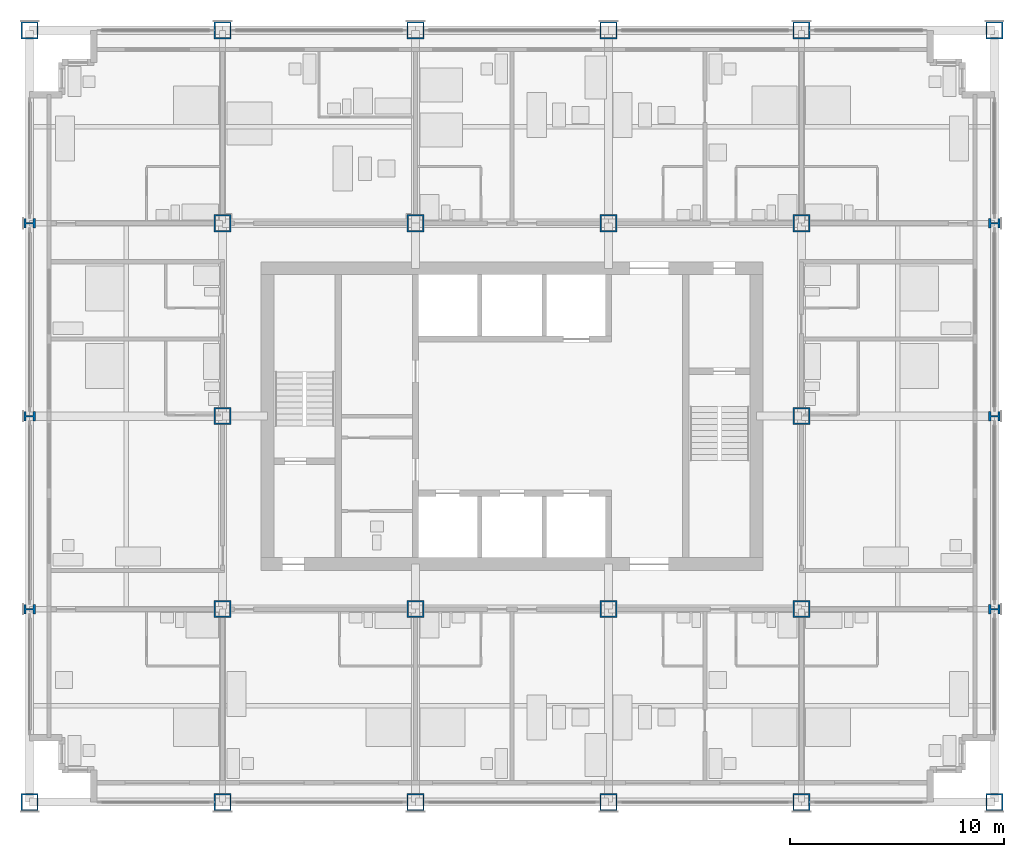
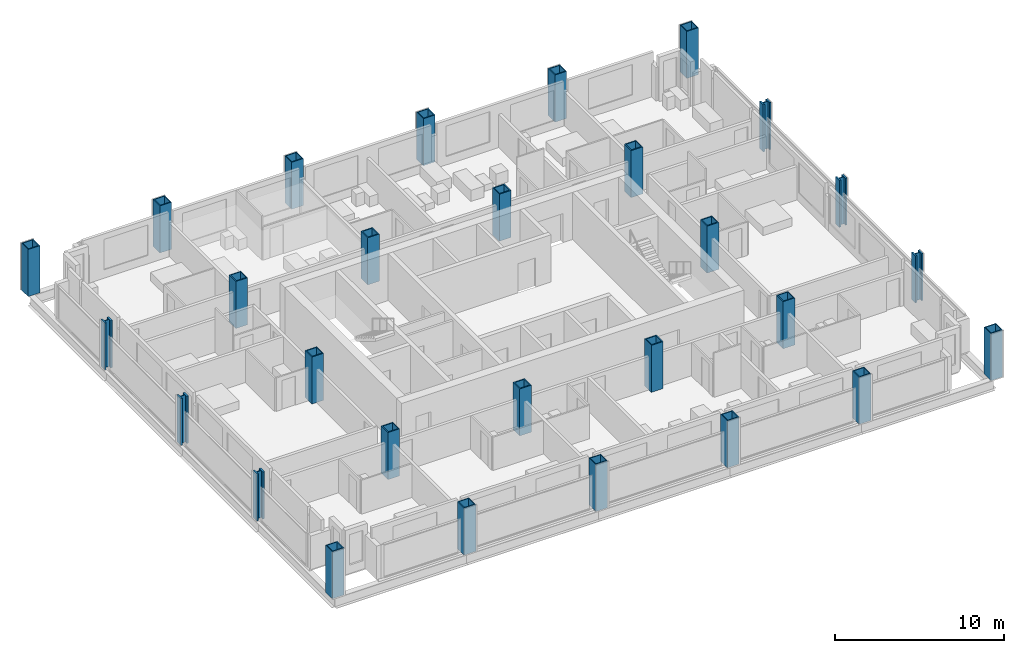
# One storey, part 1 of 16: 28 columns.
"""IFC4 building model written with IfcOpenShell, lengths in metres."""

import ifcopenshell
import ifcopenshell.guid

model = None  # the IFC model being written
_history = None  # IfcOwnerHistory: only IFC2X3 demands one
_inside = {}  # id of a spatial element -> (the spatial element, [elements in it])
_under = {}  # id of a project, library or spatial element -> (it, [spatial elements below it])
_declared = {}  # id of a project -> (the project, [libraries it declares])
_typed = {}  # id of a type object -> (the type object, [elements of that type])
_made_of = {}  # id of a material, layer set ... -> (it, [elements and type objects made of it])


def new_model(schema):
    """Start an empty IFC model of exactly this schema.

    Asked for "IFC4X3", IfcOpenShell would pick the latest addendum, in which some entities
    have other attributes; the version numbers below select the first issue.
    IFC2X3 requires an IfcOwnerHistory on every rooted entity: one is made here for all.
    """
    global model, _history
    if schema == "IFC4X3":
        model = ifcopenshell.file(schema_version=(4, 3, 0, 0))
    else:
        model = ifcopenshell.file(schema=schema)
    _inside.clear()
    _under.clear()
    _declared.clear()
    _typed.clear()
    _made_of.clear()
    _history = None
    if model.schema == "IFC2X3":
        org = make("IfcOrganization", Name="unknown")
        user = make(
            "IfcPersonAndOrganization",
            ThePerson=make("IfcPerson", FamilyName="unknown"),
            TheOrganization=org,
        )
        app = make(
            "IfcApplication",
            ApplicationDeveloper=org,
            Version="unknown",
            ApplicationFullName="unknown",
            ApplicationIdentifier="unknown",
        )
        _history = make(
            "IfcOwnerHistory",
            OwningUser=user,
            OwningApplication=app,
            ChangeAction="ADDED",
            CreationDate=0,
        )
    return model


def make(cls, **values):
    """One entity of the class cls with the attributes given. An attribute that is None is left unset."""
    return model.create_entity(
        cls, **{name: value for name, value in values.items() if value is not None}
    )


def rooted(cls, **values):
    """An entity with a GlobalId (a new one), such as an element, a storey or a relation."""
    return make(cls, GlobalId=ifcopenshell.guid.new(), OwnerHistory=_history, **values)


def si_unit(unit_type, name, prefix=None):
    """IfcSIUnit, for example si_unit("LENGTHUNIT", "METRE", prefix="MILLI")."""
    return make("IfcSIUnit", UnitType=unit_type, Prefix=prefix, Name=name)


def assignment(units):
    """IfcUnitAssignment: the units of a project."""
    return None if units is None else make("IfcUnitAssignment", Units=units)


def point(xyz):
    """IfcCartesianPoint."""
    return None if xyz is None else make("IfcCartesianPoint", Coordinates=xyz)


def direction(xyz):
    """IfcDirection."""
    return None if xyz is None else make("IfcDirection", DirectionRatios=xyz)


def frame(location, z_axis=None, x_axis=None):
    """IfcAxis2Placement3D, a coordinate frame: its origin and axes. An axis left out is left unset."""
    return make(
        "IfcAxis2Placement3D",
        Location=point(location),
        Axis=direction(z_axis),
        RefDirection=direction(x_axis),
    )


def frame_2d(location, x_axis=None):
    """IfcAxis2Placement2D, a coordinate frame in the plane: its origin and x axis."""
    return make(
        "IfcAxis2Placement2D", Location=point(location), RefDirection=direction(x_axis)
    )


def origin():
    """The frame at (0, 0, 0) with its axes left unset."""
    return frame((0.0, 0.0, 0.0))


def origin_2d():
    """The frame at (0, 0) in the plane with its x axis left unset."""
    return frame_2d((0.0, 0.0))


def place(relative_to, where):
    """IfcLocalPlacement: puts the frame where relative to a parent placement (None: the world)."""
    return make(
        "IfcLocalPlacement", PlacementRelTo=relative_to, RelativePlacement=where
    )


def context(
    kind, dimensions, precision=None, world=None, true_north=None, identifier=None
):
    """IfcGeometricRepresentationContext, for example the 3D "Model" context."""
    return make(
        "IfcGeometricRepresentationContext",
        ContextIdentifier=identifier,
        ContextType=kind,
        CoordinateSpaceDimension=dimensions,
        Precision=precision,
        WorldCoordinateSystem=world,
        TrueNorth=true_north,
    )


def subcontext(parent, identifier, kind, view, scale=None):
    """IfcGeometricRepresentationSubContext, for example "Body" below "Model"."""
    return make(
        "IfcGeometricRepresentationSubContext",
        ContextIdentifier=identifier,
        ContextType=kind,
        ParentContext=parent,
        TargetScale=scale,
        TargetView=view,
    )


def project(units=None, contexts=None):
    """IfcProject with its units and contexts."""
    return rooted(
        "IfcProject",
        Name="project",
        RepresentationContexts=contexts,
        UnitsInContext=assignment(units),
    )


def spatial(cls, under=None, at=None, **own):
    """A site, building, storey or space (cls), placed at a placement, below another one or the project."""
    s = rooted(cls, ObjectPlacement=at, **own)
    if under is not None:
        _under.setdefault(under.id(), (under, []))[1].append(s)
    return s


def profile(cls, at=None, kind="AREA", **sizes):
    """A parametric profile (cls). Its sizes go by their IFC names, for example OverallWidth=200.0."""
    return make(cls, ProfileType=kind, Position=at, **sizes)


def hollow_rectangle(**sizes):
    """IfcRectangleHollowProfileDef."""
    return profile("IfcRectangleHollowProfileDef", **sizes)


def i_section(**sizes):
    """IfcIShapeProfileDef."""
    return profile("IfcIShapeProfileDef", **sizes)


def extrude(swept, where, along, depth):
    """IfcExtrudedAreaSolid: the profile swept, set in the frame where, extruded along a direction by depth."""
    return make(
        "IfcExtrudedAreaSolid",
        SweptArea=swept,
        Position=where,
        ExtrudedDirection=direction(along),
        Depth=depth,
    )


def shape(context_of_items, identifier, shape_type, items):
    """IfcShapeRepresentation: the items that make up one representation, for example the "Body"."""
    return make(
        "IfcShapeRepresentation",
        ContextOfItems=context_of_items,
        RepresentationIdentifier=identifier,
        RepresentationType=shape_type,
        Items=items,
    )


def material(Name=None, Category=None):
    """IfcMaterial."""
    return make("IfcMaterial", Name=Name, Category=Category)


def material_profile(
    of_material, cross_section, Name=None, Category=None, Priority=None
):
    """IfcMaterialProfile: a cross section and its material."""
    return make(
        "IfcMaterialProfile",
        Name=Name,
        Material=of_material,
        Profile=cross_section,
        Priority=Priority,
        Category=Category,
    )


def profile_set(profiles, Name=None, composite=None):
    """IfcMaterialProfileSet."""
    return make(
        "IfcMaterialProfileSet",
        Name=Name,
        MaterialProfiles=profiles,
        CompositeProfile=composite,
    )


def made_of(thing, what):
    """Note that an element or type object is made of a material, layer set ...; save() writes the relation."""
    if what is not None:
        _made_of.setdefault(what.id(), (what, []))[1].append(thing)
    return thing


def type_object(cls, material=None, **own):
    """A type object (cls), such as IfcWallType, which elements share."""
    return made_of(rooted(cls, **own), material)


def element(
    cls,
    number,
    at=None,
    inside=None,
    cuts=None,
    type_object=None,
    material=None,
    context=None,
    identifier="Body",
    shape_type=None,
    held_by="IfcProductDefinitionShape",
    body=None,
    shapes=None,
    **own,
):
    """One element of the class cls, such as IfcWall. Its Tag is "e" and its number.

    at: its placement. inside: the storey or other place that contains it. cuts: it is an
    opening in that element (IfcRelVoidsElement). A single representation is given by context,
    identifier, shape_type and body (its items); several are given by shapes. held_by: the class
    of the entity that holds the representations. save() writes the other relations.
    """
    e = rooted(cls, Tag="e%d" % number, ObjectPlacement=at, **own)
    if body is not None:
        shapes = [shape(context, identifier, shape_type, body)]
    if shapes is not None:
        e.Representation = make(held_by, Representations=shapes)
    if inside is not None:
        _inside.setdefault(inside.id(), (inside, []))[1].append(e)
    if cuts is not None:
        rooted(
            "IfcRelVoidsElement", RelatingBuildingElement=cuts, RelatedOpeningElement=e
        )
    if type_object is not None:
        _typed.setdefault(type_object.id(), (type_object, []))[1].append(e)
    return made_of(e, material)


def aggregate(whole, parts):
    """IfcRelAggregates: a whole, such as a stair, and the parts it consists of."""
    return rooted("IfcRelAggregates", RelatingObject=whole, RelatedObjects=parts)


def save(model, path):
    """Write the relations noted so far, then the file.

    IfcRelAggregates (storeys below a building ...), IfcRelContainedInSpatialStructure (elements
    in a storey), IfcRelDefinesByType, IfcRelAssociatesMaterial and IfcRelDeclares: one each for
    every whole, place, type object, material and project.
    """
    for whole, parts in _under.values():
        aggregate(whole, parts)
    for where, things in _inside.values():
        rooted(
            "IfcRelContainedInSpatialStructure",
            RelatedElements=things,
            RelatingStructure=where,
        )
    for kind, things in _typed.values():
        rooted("IfcRelDefinesByType", RelatedObjects=things, RelatingType=kind)
    for what, things in _made_of.values():
        rooted("IfcRelAssociatesMaterial", RelatedObjects=things, RelatingMaterial=what)
    for by, libraries in _declared.values():
        rooted("IfcRelDeclares", RelatingContext=by, RelatedDefinitions=libraries)
    model.write(path)


model = new_model("IFC4")

# Units and contexts
model_context = context("Model", 3, precision=1e-05, world=origin(), true_north=direction((0.0, 1.0)))
body_context = subcontext(model_context, "Body", "Model", "MODEL_VIEW")
ifc_project = project(units=[si_unit("LENGTHUNIT", "METRE"), si_unit("AREAUNIT", "SQUARE_METRE"), si_unit("VOLUMEUNIT", "CUBIC_METRE"), si_unit("PLANEANGLEUNIT", "RADIAN"), si_unit("MASSUNIT", "GRAM", prefix="KILO")], contexts=[model_context])

# Site, building, storey
site_placement = place(None, origin())
site = spatial("IfcSite", under=ifc_project, at=site_placement, CompositionType="ELEMENT")
building_placement = place(site_placement, origin())
building = spatial("IfcBuilding", under=site, at=building_placement, Name="Loomwork Tower", CompositionType="ELEMENT")
storey_placement = place(building_placement, frame((0.0, 0.0, 148.60009765625)))
storey = spatial("IfcBuildingStorey", under=building, at=storey_placement, Name="L40", CompositionType="ELEMENT", Elevation=148.60009765625)

# Columns
ifc_material_1 = material(Name="Steel ASTM A572 Grade 50 plate", Category="steel")
ifc_material_profile_1 = material_profile(ifc_material_1, hollow_rectangle(XDim=0.800048828125, YDim=0.800048828125, WallThickness=0.06005859375, at=origin_2d()), Name="BOX800x60")
ifc_profile_set_1 = profile_set([ifc_material_profile_1], Name="Steel ASTM A572 Grade 50 plate")
column_type_1 = type_object("IfcColumnType", Name="EXOSKELETON PIER BOX800x60", PredefinedType="COLUMN", material=ifc_profile_set_1)
for number, where, z_axis, x_axis, name in (
    (1, (0.0, 0.0, 0.0), (0.0, 0.0, 1.0), (1.0, 0.0, 0.0), "Exoskeleton Pier D/2 L40"),
    (2, (0.0, 36.0, 0.0), (0.0, 0.0, 1.0), (1.0, 0.0, 0.0), "Exoskeleton Pier H/2 L40"),
    (3, (9.0, 0.0, 0.0), (0.0, 0.0, 1.0), (1.0, 0.0, 0.0), "Exoskeleton Pier D/3 L40"),
    (4, (9.0, 36.0, 0.0), (0.0, 0.0, 1.0), (1.0, 0.0, 0.0), "Exoskeleton Pier H/3 L40"),
    (5, (18.0, 0.0, 0.0), (0.0, 0.0, 1.0), (1.0, 0.0, 0.0), "Exoskeleton Pier D/4 L40"),
    (6, (18.0, 36.0, 0.0), (0.0, 0.0, 1.0), (1.0, 0.0, 0.0), "Exoskeleton Pier H/4 L40"),
    (7, (27.0, 0.0, 0.0), (0.0, 0.0, 1.0), (1.0, 0.0, 0.0), "Exoskeleton Pier D/5 L40"),
    (8, (27.0, 36.0, 0.0), (0.0, 0.0, 1.0), (1.0, 0.0, 0.0), "Exoskeleton Pier H/5 L40"),
    (9, (36.0, 0.0, 0.0), (0.0, 0.0, 1.0), (1.0, 0.0, 0.0), "Exoskeleton Pier D/6 L40"),
    (10, (36.0, 36.0, 0.0), (0.0, 0.0, 1.0), (1.0, 0.0, 0.0), "Exoskeleton Pier H/6 L40"),
    (11, (45.0, 0.0, 0.0), (0.0, 0.0, 1.0), (1.0, 0.0, 0.0), "Exoskeleton Pier D/7 L40"),
    (12, (45.0, 36.0, 0.0), (0.0, 0.0, 1.0), (1.0, 0.0, 0.0), "Exoskeleton Pier H/7 L40"),
):
    element("IfcColumn", number, at=place(storey_placement, frame(where, z_axis=z_axis, x_axis=x_axis)), inside=storey, type_object=column_type_1, Name=name, PredefinedType="COLUMN", context=body_context, shape_type="SweptSolid", body=[
        extrude(hollow_rectangle(XDim=0.800048828125, YDim=0.800048828125, WallThickness=0.06005859375, at=origin_2d()), origin(), (0.0, 0.0, 1.0), 3.39990234375),
    ])
ifc_material_2 = material(Name="Steel ASTM A992", Category="steel")
ifc_material_profile_2 = material_profile(ifc_material_2, i_section(OverallWidth=0.44189453125, OverallDepth=0.53076171875, WebThickness=0.06591796875, FlangeThickness=0.105712890625, at=origin_2d()), Name="W14x605")
ifc_profile_set_2 = profile_set([ifc_material_profile_2], Name="Steel ASTM A992")
column_type_2 = type_object("IfcColumnType", Name="EXOSKELETON PIER W14x605", PredefinedType="COLUMN", material=ifc_profile_set_2)
for number, where, z_axis, x_axis, name in (
    (13, (0.0, 9.0, 0.0), (0.0, 0.0, 1.0), (0.0, 1.0, 0.0), "Exoskeleton Pier E/2 L40"),
    (14, (0.0, 18.0, 0.0), (0.0, 0.0, 1.0), (0.0, 1.0, 0.0), "Exoskeleton Pier F/2 L40"),
    (15, (0.0, 27.0, 0.0), (0.0, 0.0, 1.0), (0.0, 1.0, 0.0), "Exoskeleton Pier G/2 L40"),
    (16, (45.0, 9.0, 0.0), (0.0, 0.0, 1.0), (0.0, 1.0, 0.0), "Exoskeleton Pier E/7 L40"),
    (17, (45.0, 18.0, 0.0), (0.0, 0.0, 1.0), (0.0, 1.0, 0.0), "Exoskeleton Pier F/7 L40"),
    (18, (45.0, 27.0, 0.0), (0.0, 0.0, 1.0), (0.0, 1.0, 0.0), "Exoskeleton Pier G/7 L40"),
):
    element("IfcColumn", number, at=place(storey_placement, frame(where, z_axis=z_axis, x_axis=x_axis)), inside=storey, type_object=column_type_2, Name=name, PredefinedType="COLUMN", context=body_context, shape_type="SweptSolid", body=[
        extrude(i_section(OverallWidth=0.44189453125, OverallDepth=0.53076171875, WebThickness=0.06591796875, FlangeThickness=0.105712890625, at=origin_2d()), origin(), (0.0, 0.0, 1.0), 3.39990234375),
    ])
ifc_material_3 = material(Name="Steel ASTM A572 Grade 50 plate", Category="steel")
ifc_material_profile_3 = material_profile(ifc_material_3, hollow_rectangle(XDim=0.800048828125, YDim=0.800048828125, WallThickness=0.070068359375, at=origin_2d()), Name="BOX800x70")
ifc_profile_set_3 = profile_set([ifc_material_profile_3], Name="Steel ASTM A572 Grade 50 plate")
column_type_3 = type_object("IfcColumnType", Name="TOWER COLUMN BOX800x70", PredefinedType="COLUMN", material=ifc_profile_set_3)
for number, where, z_axis, x_axis, name in (
    (19, (9.0, 9.0, 0.0), (0.0, 0.0, 1.0), (1.0, 0.0, 0.0), "Tower Column E/3 L40"),
    (20, (9.0, 18.0, 0.0), (0.0, 0.0, 1.0), (1.0, 0.0, 0.0), "Tower Column F/3 L40"),
    (21, (9.0, 27.0, 0.0), (0.0, 0.0, 1.0), (1.0, 0.0, 0.0), "Tower Column G/3 L40"),
    (22, (18.0, 9.0, 0.0), (0.0, 0.0, 1.0), (1.0, 0.0, 0.0), "Tower Column E/4 L40"),
    (23, (18.0, 27.0, 0.0), (0.0, 0.0, 1.0), (1.0, 0.0, 0.0), "Tower Column G/4 L40"),
    (24, (27.0, 9.0, 0.0), (0.0, 0.0, 1.0), (1.0, 0.0, 0.0), "Tower Column E/5 L40"),
    (25, (27.0, 27.0, 0.0), (0.0, 0.0, 1.0), (1.0, 0.0, 0.0), "Tower Column G/5 L40"),
    (26, (36.0, 9.0, 0.0), (0.0, 0.0, 1.0), (0.0, 1.0, 0.0), "Tower Column E/6 L40"),
    (27, (36.0, 18.0, 0.0), (0.0, 0.0, 1.0), (0.0, 1.0, 0.0), "Tower Column F/6 L40"),
    (28, (36.0, 27.0, 0.0), (0.0, 0.0, 1.0), (1.0, 0.0, 0.0), "Tower Column G/6 L40"),
):
    element("IfcColumn", number, at=place(storey_placement, frame(where, z_axis=z_axis, x_axis=x_axis)), inside=storey, type_object=column_type_3, Name=name, PredefinedType="COLUMN", context=body_context, shape_type="SweptSolid", body=[
        extrude(hollow_rectangle(XDim=0.800048828125, YDim=0.800048828125, WallThickness=0.070068359375, at=origin_2d()), origin(), (0.0, 0.0, 1.0), 3.39990234375),
    ])

save(model, "model.ifc")
